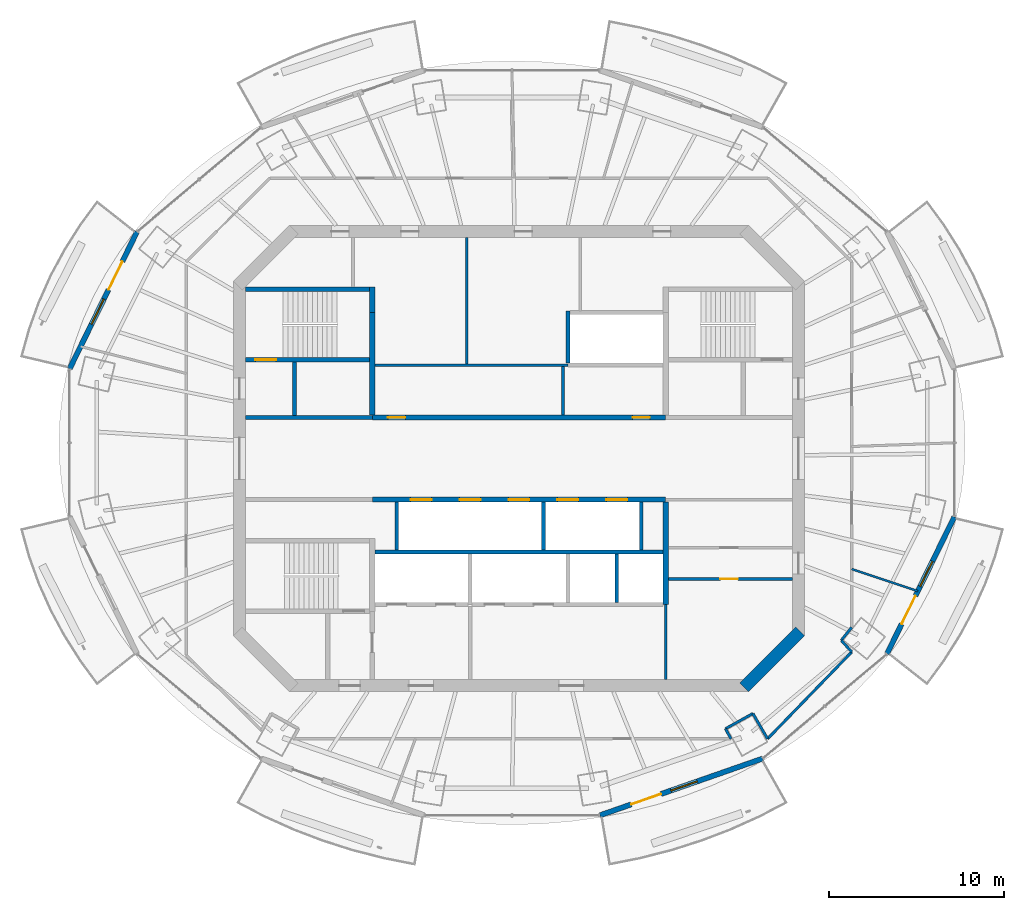
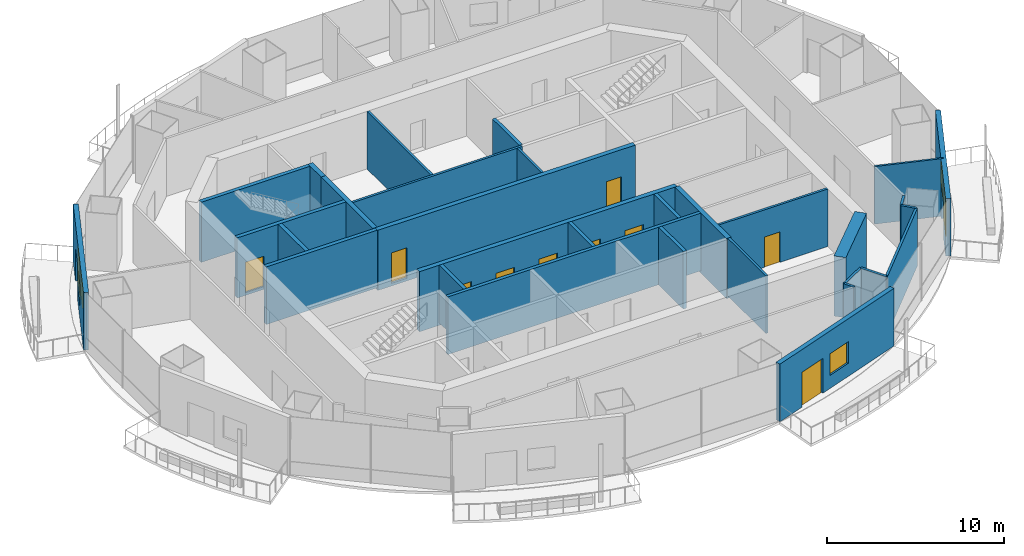
# One storey, part 9 of 16: 31 walls, 12 doors, 3 windows, 15 openings.
"""IFC4 building model written with IfcOpenShell, lengths in metres."""

import ifcopenshell
import ifcopenshell.guid

model = None  # the IFC model being written
_history = None  # IfcOwnerHistory: only IFC2X3 demands one
_inside = {}  # id of a spatial element -> (the spatial element, [elements in it])
_under = {}  # id of a project, library or spatial element -> (it, [spatial elements below it])
_declared = {}  # id of a project -> (the project, [libraries it declares])
_typed = {}  # id of a type object -> (the type object, [elements of that type])
_made_of = {}  # id of a material, layer set ... -> (it, [elements and type objects made of it])


def new_model(schema):
    """Start an empty IFC model of exactly this schema.

    Asked for "IFC4X3", IfcOpenShell would pick the latest addendum, in which some entities
    have other attributes; the version numbers below select the first issue.
    IFC2X3 requires an IfcOwnerHistory on every rooted entity: one is made here for all.
    """
    global model, _history
    if schema == "IFC4X3":
        model = ifcopenshell.file(schema_version=(4, 3, 0, 0))
    else:
        model = ifcopenshell.file(schema=schema)
    _inside.clear()
    _under.clear()
    _declared.clear()
    _typed.clear()
    _made_of.clear()
    _history = None
    if model.schema == "IFC2X3":
        org = make("IfcOrganization", Name="unknown")
        user = make(
            "IfcPersonAndOrganization",
            ThePerson=make("IfcPerson", FamilyName="unknown"),
            TheOrganization=org,
        )
        app = make(
            "IfcApplication",
            ApplicationDeveloper=org,
            Version="unknown",
            ApplicationFullName="unknown",
            ApplicationIdentifier="unknown",
        )
        _history = make(
            "IfcOwnerHistory",
            OwningUser=user,
            OwningApplication=app,
            ChangeAction="ADDED",
            CreationDate=0,
        )
    return model


def make(cls, **values):
    """One entity of the class cls with the attributes given. An attribute that is None is left unset."""
    return model.create_entity(
        cls, **{name: value for name, value in values.items() if value is not None}
    )


def rooted(cls, **values):
    """An entity with a GlobalId (a new one), such as an element, a storey or a relation."""
    return make(cls, GlobalId=ifcopenshell.guid.new(), OwnerHistory=_history, **values)


def si_unit(unit_type, name, prefix=None):
    """IfcSIUnit, for example si_unit("LENGTHUNIT", "METRE", prefix="MILLI")."""
    return make("IfcSIUnit", UnitType=unit_type, Prefix=prefix, Name=name)


def assignment(units):
    """IfcUnitAssignment: the units of a project."""
    return None if units is None else make("IfcUnitAssignment", Units=units)


def point(xyz):
    """IfcCartesianPoint."""
    return None if xyz is None else make("IfcCartesianPoint", Coordinates=xyz)


def direction(xyz):
    """IfcDirection."""
    return None if xyz is None else make("IfcDirection", DirectionRatios=xyz)


def frame(location, z_axis=None, x_axis=None):
    """IfcAxis2Placement3D, a coordinate frame: its origin and axes. An axis left out is left unset."""
    return make(
        "IfcAxis2Placement3D",
        Location=point(location),
        Axis=direction(z_axis),
        RefDirection=direction(x_axis),
    )


def frame_2d(location, x_axis=None):
    """IfcAxis2Placement2D, a coordinate frame in the plane: its origin and x axis."""
    return make(
        "IfcAxis2Placement2D", Location=point(location), RefDirection=direction(x_axis)
    )


def origin():
    """The frame at (0, 0, 0) with its axes left unset."""
    return frame((0.0, 0.0, 0.0))


def place(relative_to, where):
    """IfcLocalPlacement: puts the frame where relative to a parent placement (None: the world)."""
    return make(
        "IfcLocalPlacement", PlacementRelTo=relative_to, RelativePlacement=where
    )


def context(
    kind, dimensions, precision=None, world=None, true_north=None, identifier=None
):
    """IfcGeometricRepresentationContext, for example the 3D "Model" context."""
    return make(
        "IfcGeometricRepresentationContext",
        ContextIdentifier=identifier,
        ContextType=kind,
        CoordinateSpaceDimension=dimensions,
        Precision=precision,
        WorldCoordinateSystem=world,
        TrueNorth=true_north,
    )


def subcontext(parent, identifier, kind, view, scale=None):
    """IfcGeometricRepresentationSubContext, for example "Body" below "Model"."""
    return make(
        "IfcGeometricRepresentationSubContext",
        ContextIdentifier=identifier,
        ContextType=kind,
        ParentContext=parent,
        TargetScale=scale,
        TargetView=view,
    )


def project(units=None, contexts=None):
    """IfcProject with its units and contexts."""
    return rooted(
        "IfcProject",
        Name="project",
        RepresentationContexts=contexts,
        UnitsInContext=assignment(units),
    )


def spatial(cls, under=None, at=None, **own):
    """A site, building, storey or space (cls), placed at a placement, below another one or the project."""
    s = rooted(cls, ObjectPlacement=at, **own)
    if under is not None:
        _under.setdefault(under.id(), (under, []))[1].append(s)
    return s


def profile(cls, at=None, kind="AREA", **sizes):
    """A parametric profile (cls). Its sizes go by their IFC names, for example OverallWidth=200.0."""
    return make(cls, ProfileType=kind, Position=at, **sizes)


def rectangle(**sizes):
    """IfcRectangleProfileDef."""
    return profile("IfcRectangleProfileDef", **sizes)


def extrude(swept, where, along, depth):
    """IfcExtrudedAreaSolid: the profile swept, set in the frame where, extruded along a direction by depth."""
    return make(
        "IfcExtrudedAreaSolid",
        SweptArea=swept,
        Position=where,
        ExtrudedDirection=direction(along),
        Depth=depth,
    )


def shape(context_of_items, identifier, shape_type, items):
    """IfcShapeRepresentation: the items that make up one representation, for example the "Body"."""
    return make(
        "IfcShapeRepresentation",
        ContextOfItems=context_of_items,
        RepresentationIdentifier=identifier,
        RepresentationType=shape_type,
        Items=items,
    )


def material(Name=None, Category=None):
    """IfcMaterial."""
    return make("IfcMaterial", Name=Name, Category=Category)


def layer(
    of_material, thickness, ventilated=None, Name=None, Category=None, Priority=None
):
    """IfcMaterialLayer: one layer of a wall or slab, of a material (None: an air gap)."""
    return make(
        "IfcMaterialLayer",
        Material=of_material,
        LayerThickness=thickness,
        IsVentilated=ventilated,
        Name=Name,
        Category=Category,
        Priority=Priority,
    )


def layer_set(layers, Name=None):
    """IfcMaterialLayerSet."""
    return make("IfcMaterialLayerSet", MaterialLayers=layers, LayerSetName=Name)


def made_of(thing, what):
    """Note that an element or type object is made of a material, layer set ...; save() writes the relation."""
    if what is not None:
        _made_of.setdefault(what.id(), (what, []))[1].append(thing)
    return thing


def type_object(cls, material=None, **own):
    """A type object (cls), such as IfcWallType, which elements share."""
    return made_of(rooted(cls, **own), material)


def element(
    cls,
    number,
    at=None,
    inside=None,
    cuts=None,
    type_object=None,
    material=None,
    context=None,
    identifier="Body",
    shape_type=None,
    held_by="IfcProductDefinitionShape",
    body=None,
    shapes=None,
    **own,
):
    """One element of the class cls, such as IfcWall. Its Tag is "e" and its number.

    at: its placement. inside: the storey or other place that contains it. cuts: it is an
    opening in that element (IfcRelVoidsElement). A single representation is given by context,
    identifier, shape_type and body (its items); several are given by shapes. held_by: the class
    of the entity that holds the representations. save() writes the other relations.
    """
    e = rooted(cls, Tag="e%d" % number, ObjectPlacement=at, **own)
    if body is not None:
        shapes = [shape(context, identifier, shape_type, body)]
    if shapes is not None:
        e.Representation = make(held_by, Representations=shapes)
    if inside is not None:
        _inside.setdefault(inside.id(), (inside, []))[1].append(e)
    if cuts is not None:
        rooted(
            "IfcRelVoidsElement", RelatingBuildingElement=cuts, RelatedOpeningElement=e
        )
    if type_object is not None:
        _typed.setdefault(type_object.id(), (type_object, []))[1].append(e)
    return made_of(e, material)


def fill(opening, filler):
    """IfcRelFillsElement: the door or window that sits in an opening."""
    return rooted(
        "IfcRelFillsElement",
        RelatingOpeningElement=opening,
        RelatedBuildingElement=filler,
    )


def aggregate(whole, parts):
    """IfcRelAggregates: a whole, such as a stair, and the parts it consists of."""
    return rooted("IfcRelAggregates", RelatingObject=whole, RelatedObjects=parts)


def save(model, path):
    """Write the relations noted so far, then the file.

    IfcRelAggregates (storeys below a building ...), IfcRelContainedInSpatialStructure (elements
    in a storey), IfcRelDefinesByType, IfcRelAssociatesMaterial and IfcRelDeclares: one each for
    every whole, place, type object, material and project.
    """
    for whole, parts in _under.values():
        aggregate(whole, parts)
    for where, things in _inside.values():
        rooted(
            "IfcRelContainedInSpatialStructure",
            RelatedElements=things,
            RelatingStructure=where,
        )
    for kind, things in _typed.values():
        rooted("IfcRelDefinesByType", RelatedObjects=things, RelatingType=kind)
    for what, things in _made_of.values():
        rooted("IfcRelAssociatesMaterial", RelatedObjects=things, RelatingMaterial=what)
    for by, libraries in _declared.values():
        rooted("IfcRelDeclares", RelatingContext=by, RelatedDefinitions=libraries)
    model.write(path)


model = new_model("IFC4")

# Units and contexts
model_context = context("Model", 3, precision=1e-05, world=origin(), true_north=direction((0.0, 1.0)))
body_context = subcontext(model_context, "Body", "Model", "MODEL_VIEW")
ifc_project = project(units=[si_unit("LENGTHUNIT", "METRE"), si_unit("AREAUNIT", "SQUARE_METRE"), si_unit("VOLUMEUNIT", "CUBIC_METRE"), si_unit("PLANEANGLEUNIT", "RADIAN"), si_unit("MASSUNIT", "GRAM", prefix="KILO")], contexts=[model_context])

# Site, building, storey
site_placement = place(None, origin())
site = spatial("IfcSite", under=ifc_project, at=site_placement, CompositionType="ELEMENT")
building_placement = place(site_placement, origin())
building = spatial("IfcBuilding", under=site, at=building_placement, Name="Marenthal Gate Tower", CompositionType="ELEMENT")
storey_placement = place(building_placement, frame((0.0, 0.0, 371.64990234375)))
storey = spatial("IfcBuildingStorey", under=building, at=storey_placement, Name="L84", CompositionType="ELEMENT", Elevation=371.64990234375)

# Wall
ifc_material_1 = material(Name="Concrete 60 MPa", Category="concrete")
ifc_layer_1 = layer(ifc_material_1, 0.699951171875)
ifc_layer_set_1 = layer_set([ifc_layer_1], Name="Core shear wall 700")
wall_type_1 = type_object("IfcWallType", Name="Core shear wall 700", PredefinedType="SHEAR", material=ifc_layer_set_1)
wall_1_placement = place(storey_placement, frame((12.8974609375, -13.1025390625, -0.179931640625), z_axis=(0.0, 0.0, 1.0), x_axis=(0.707106781187, 0.707106781187, 0.0)))
element("IfcWall", 1, at=wall_1_placement, inside=storey, type_object=wall_type_1, Name="Core wall 01", PredefinedType="SHEAR", context=body_context, shape_type="SweptSolid", body=[
    extrude(rectangle(XDim=4.53271484375, YDim=0.699951171875, at=frame_2d((2.266357421875, 0.0))), origin(), (0.0, 0.0, 1.0), 4.150146484375),
])

# Wall, openings, doors
ifc_material_2 = material(Name="Concrete 50 MPa", Category="concrete")
ifc_layer_2 = layer(ifc_material_2, 0.300048828125)
ifc_layer_set_2 = layer_set([ifc_layer_2], Name="Hoistway shear wall 300")
wall_type_2 = type_object("IfcWallType", Name="Hoistway shear wall 300", PredefinedType="SHEAR", material=ifc_layer_set_2)
wall_2_placement = place(storey_placement, frame((-8.39990234375, -2.35009765625, -0.179931640625), z_axis=(0.0, 0.0, 1.0), x_axis=(1.0, 0.0, 0.0)))
wall_2 = element("IfcWall", 2, at=wall_2_placement, inside=storey, type_object=wall_type_2, Name="Hoistway wall 17", PredefinedType="SHEAR", context=body_context, shape_type="SweptSolid", body=[
    extrude(rectangle(XDim=16.7998046875, YDim=0.300048828125, at=frame_2d((8.39990234375, 0.0))), origin(), (0.0, 0.0, 1.0), 4.150146484375),
])
opening_1_placement = place(wall_2_placement, frame((2.199951171875, 0.0, 0.179931640625)))
opening_1 = element("IfcOpeningElement", 3, at=opening_1_placement, cuts=wall_2, Name="Opening LD-HP1", PredefinedType="OPENING", context=body_context, shape_type="SweptSolid", body=[
    extrude(rectangle(XDim=1.199951171875, YDim=2.10009765625, at=frame_2d((0.60009765625, 1.050048828125))), frame((0.0, 0.16015625, 0.0), z_axis=(0.0, -1.0, 0.0), x_axis=(1.0, 0.0, 0.0)), (0.0, 0.0, 1.0), 0.320068359375),
])
opening_2_placement = place(wall_2_placement, frame((5.0, 0.0, 0.179931640625)))
opening_2 = element("IfcOpeningElement", 4, at=opening_2_placement, cuts=wall_2, Name="Opening LD-HP2", PredefinedType="OPENING", context=body_context, shape_type="SweptSolid", body=[
    extrude(rectangle(XDim=1.199951171875, YDim=2.10009765625, at=frame_2d((0.60009765625, 1.050048828125))), frame((0.0, 0.16015625, 0.0), z_axis=(0.0, -1.0, 0.0), x_axis=(1.0, 0.0, 0.0)), (0.0, 0.0, 1.0), 0.320068359375),
])
opening_3_placement = place(wall_2_placement, frame((7.800048828125, 0.0, 0.179931640625)))
opening_3 = element("IfcOpeningElement", 5, at=opening_3_placement, cuts=wall_2, Name="Opening LD-HP3", PredefinedType="OPENING", context=body_context, shape_type="SweptSolid", body=[
    extrude(rectangle(XDim=1.199951171875, YDim=2.10009765625, at=frame_2d((0.60009765625, 1.050048828125))), frame((0.0, 0.16015625, 0.0), z_axis=(0.0, -1.0, 0.0), x_axis=(1.0, 0.0, 0.0)), (0.0, 0.0, 1.0), 0.320068359375),
])
opening_4_placement = place(wall_2_placement, frame((10.60009765625, 0.0, 0.179931640625)))
opening_4 = element("IfcOpeningElement", 6, at=opening_4_placement, cuts=wall_2, Name="Opening LD-HP4", PredefinedType="OPENING", context=body_context, shape_type="SweptSolid", body=[
    extrude(rectangle(XDim=1.199951171875, YDim=2.10009765625, at=frame_2d((0.60009765625, 1.050048828125))), frame((0.0, 0.16015625, 0.0), z_axis=(0.0, -1.0, 0.0), x_axis=(1.0, 0.0, 0.0)), (0.0, 0.0, 1.0), 0.320068359375),
])
opening_5_placement = place(wall_2_placement, frame((13.39990234375, 0.0, 0.179931640625)))
opening_5 = element("IfcOpeningElement", 7, at=opening_5_placement, cuts=wall_2, Name="Opening LD-HP5", PredefinedType="OPENING", context=body_context, shape_type="SweptSolid", body=[
    extrude(rectangle(XDim=1.199951171875, YDim=2.10009765625, at=frame_2d((0.60009765625, 1.050048828125))), frame((0.0, 0.16015625, 0.0), z_axis=(0.0, -1.0, 0.0), x_axis=(1.0, 0.0, 0.0)), (0.0, 0.0, 1.0), 0.320068359375),
])
ifc_material_3 = material(Name="Stainless steel sliding door", Category="steel")
door_type_1 = type_object("IfcDoorType", Name="Lift landing door FD 90 1200 x 2100", OperationType="DOUBLE_DOOR_SLIDING", PredefinedType="DOOR", material=ifc_material_3)
door_1_placement = place(opening_1_placement, origin())
door_1 = element("IfcDoor", 8, at=door_1_placement, inside=storey, type_object=door_type_1, Name="Lift landing door HP1", OperationType="DOUBLE_DOOR_SLIDING", OverallHeight=2.10009765625, OverallWidth=1.199951171875, PredefinedType="DOOR", context=body_context, shape_type="SweptSolid", body=[
    extrude(rectangle(XDim=1.199951171875, YDim=2.10009765625, at=frame_2d((0.60009765625, 1.050048828125))), frame((0.0, 0.02490234375, 0.0), z_axis=(0.0, -1.0, 0.0), x_axis=(1.0, 0.0, 0.0)), (0.0, 0.0, 1.0), 0.050048828125),
])
fill(opening_1, door_1)
door_2_placement = place(opening_2_placement, origin())
door_2 = element("IfcDoor", 9, at=door_2_placement, inside=storey, type_object=door_type_1, Name="Lift landing door HP2", OperationType="DOUBLE_DOOR_SLIDING", OverallHeight=2.10009765625, OverallWidth=1.199951171875, PredefinedType="DOOR", context=body_context, shape_type="SweptSolid", body=[
    extrude(rectangle(XDim=1.199951171875, YDim=2.10009765625, at=frame_2d((0.60009765625, 1.050048828125))), frame((0.0, 0.02490234375, 0.0), z_axis=(0.0, -1.0, 0.0), x_axis=(1.0, 0.0, 0.0)), (0.0, 0.0, 1.0), 0.050048828125),
])
fill(opening_2, door_2)
door_3_placement = place(opening_3_placement, origin())
door_3 = element("IfcDoor", 10, at=door_3_placement, inside=storey, type_object=door_type_1, Name="Lift landing door HP3", OperationType="DOUBLE_DOOR_SLIDING", OverallHeight=2.10009765625, OverallWidth=1.199951171875, PredefinedType="DOOR", context=body_context, shape_type="SweptSolid", body=[
    extrude(rectangle(XDim=1.199951171875, YDim=2.10009765625, at=frame_2d((0.60009765625, 1.050048828125))), frame((0.0, 0.02490234375, 0.0), z_axis=(0.0, -1.0, 0.0), x_axis=(1.0, 0.0, 0.0)), (0.0, 0.0, 1.0), 0.050048828125),
])
fill(opening_3, door_3)
door_4_placement = place(opening_4_placement, origin())
door_4 = element("IfcDoor", 11, at=door_4_placement, inside=storey, type_object=door_type_1, Name="Lift landing door HP4", OperationType="DOUBLE_DOOR_SLIDING", OverallHeight=2.10009765625, OverallWidth=1.199951171875, PredefinedType="DOOR", context=body_context, shape_type="SweptSolid", body=[
    extrude(rectangle(XDim=1.199951171875, YDim=2.10009765625, at=frame_2d((0.60009765625, 1.050048828125))), frame((0.0, 0.02490234375, 0.0), z_axis=(0.0, -1.0, 0.0), x_axis=(1.0, 0.0, 0.0)), (0.0, 0.0, 1.0), 0.050048828125),
])
fill(opening_4, door_4)
door_5_placement = place(opening_5_placement, origin())
door_5 = element("IfcDoor", 12, at=door_5_placement, inside=storey, type_object=door_type_1, Name="Lift landing door HP5", OperationType="DOUBLE_DOOR_SLIDING", OverallHeight=2.10009765625, OverallWidth=1.199951171875, PredefinedType="DOOR", context=body_context, shape_type="SweptSolid", body=[
    extrude(rectangle(XDim=1.199951171875, YDim=2.10009765625, at=frame_2d((0.60009765625, 1.050048828125))), frame((0.0, 0.02490234375, 0.0), z_axis=(0.0, -1.0, 0.0), x_axis=(1.0, 0.0, 0.0)), (0.0, 0.0, 1.0), 0.050048828125),
])
fill(opening_5, door_5)

wall_3_placement = place(storey_placement, frame((-8.39990234375, 2.35009765625, -0.179931640625), z_axis=(0.0, 0.0, 1.0), x_axis=(1.0, 0.0, 0.0)))
wall_3 = element("IfcWall", 13, at=wall_3_placement, inside=storey, type_object=wall_type_2, Name="Hoistway wall 20", PredefinedType="SHEAR", context=body_context, shape_type="SweptSolid", body=[
    extrude(rectangle(XDim=16.7998046875, YDim=0.300048828125, at=frame_2d((8.39990234375, 0.0))), origin(), (0.0, 0.0, 1.0), 4.150146484375),
])
opening_6_placement = place(wall_3_placement, frame((0.89990234375, 0.0, 0.179931640625)))
opening_6 = element("IfcOpeningElement", 14, at=opening_6_placement, cuts=wall_3, Name="Opening D005.01", PredefinedType="OPENING", context=body_context, shape_type="SweptSolid", body=[
    extrude(rectangle(XDim=1.0, YDim=2.10009765625, at=frame_2d((0.5, 1.050048828125))), frame((0.0, 0.16015625, 0.0), z_axis=(0.0, -1.0, 0.0), x_axis=(1.0, 0.0, 0.0)), (0.0, 0.0, 1.0), 0.320068359375),
])
opening_7_placement = place(wall_3_placement, frame((14.89990234375, 0.0, 0.179931640625)))
opening_7 = element("IfcOpeningElement", 15, at=opening_7_placement, cuts=wall_3, Name="Opening D005.02", PredefinedType="OPENING", context=body_context, shape_type="SweptSolid", body=[
    extrude(rectangle(XDim=1.0, YDim=2.10009765625, at=frame_2d((0.5, 1.050048828125))), frame((0.0, 0.16015625, 0.0), z_axis=(0.0, -1.0, 0.0), x_axis=(1.0, 0.0, 0.0)), (0.0, 0.0, 1.0), 0.320068359375),
])
ifc_material_4 = material(Name="Steel fire door", Category="steel")
door_type_2 = type_object("IfcDoorType", Name="Fire door FD 45 1000 x 2100", OperationType="NOTDEFINED", PredefinedType="DOOR", material=ifc_material_4)
door_6_placement = place(opening_6_placement, origin())
door_6 = element("IfcDoor", 16, at=door_6_placement, inside=storey, type_object=door_type_2, Name="Door D005.01", OperationType="SINGLE_SWING_RIGHT", OverallHeight=2.10009765625, OverallWidth=1.0, PredefinedType="DOOR", context=body_context, shape_type="SweptSolid", body=[
    extrude(rectangle(XDim=1.0, YDim=2.10009765625, at=frame_2d((0.5, 1.050048828125))), frame((0.0, 0.02490234375, 0.0), z_axis=(0.0, -1.0, 0.0), x_axis=(1.0, 0.0, 0.0)), (0.0, 0.0, 1.0), 0.050048828125),
])
fill(opening_6, door_6)
door_7_placement = place(opening_7_placement, origin())
door_7 = element("IfcDoor", 17, at=door_7_placement, inside=storey, type_object=door_type_2, Name="Door D005.02", OperationType="SINGLE_SWING_RIGHT", OverallHeight=2.10009765625, OverallWidth=1.0, PredefinedType="DOOR", context=body_context, shape_type="SweptSolid", body=[
    extrude(rectangle(XDim=1.0, YDim=2.10009765625, at=frame_2d((0.5, 1.050048828125))), frame((0.0, 0.02490234375, 0.0), z_axis=(0.0, -1.0, 0.0), x_axis=(1.0, 0.0, 0.0)), (0.0, 0.0, 1.0), 0.050048828125),
])
fill(opening_7, door_7)

# Walls
for number, where, z_axis, x_axis, name in (
    (18, (-8.39990234375, 2.5, -0.179931640625), (0.0, 0.0, 1.0), (0.0, 1.0, 0.0), "Hoistway wall 34"),
    (19, (8.39990234375, -8.35009765625, -0.179931640625), (0.0, 0.0, 1.0), (0.0, 1.0, 0.0), "Hoistway wall 48"),
):
    element("IfcWall", number, at=place(storey_placement, frame(where, z_axis=z_axis, x_axis=x_axis)), inside=storey, type_object=wall_type_2, Name=name, PredefinedType="SHEAR", context=body_context, shape_type="SweptSolid", body=[
        extrude(rectangle(XDim=5.85009765625, YDim=0.300048828125, at=frame_2d((2.925048828125, 0.0))), origin(), (0.0, 0.0, 1.0), 4.150146484375),
    ])
ifc_material_5 = material(Name="Concrete 40 MPa", Category="concrete")
ifc_layer_3 = layer(ifc_material_5, 0.219970703125)
ifc_layer_set_3 = layer_set([ifc_layer_3], Name="Hoistway wall 220")
wall_type_3 = type_object("IfcWallType", Name="Hoistway wall 220", PredefinedType="STANDARD", material=ifc_layer_set_3)
wall_4_placement = place(storey_placement, frame((-8.25, -5.35009765625, 0.0), z_axis=(0.0, 0.0, 1.0), x_axis=(1.0, 0.0, 0.0)))
element("IfcWall", 20, at=wall_4_placement, inside=storey, type_object=wall_type_3, Name="Hoistway wall 13", PredefinedType="STANDARD", context=body_context, shape_type="SweptSolid", body=[
    extrude(rectangle(XDim=16.5, YDim=0.219970703125, at=frame_2d((8.25, 0.0))), origin(), (0.0, 0.0, 1.0), 3.97021484375),
])
for number, where, z_axis, x_axis, name in (
    (21, (-7.0, -5.239990234375, 0.0), (0.0, 0.0, 1.0), (0.0, 1.0, 0.0), "Hoistway wall 36"),
    (22, (1.39990234375, -5.239990234375, 0.0), (0.0, 0.0, 1.0), (0.0, 1.0, 0.0), "Hoistway wall 40"),
):
    element("IfcWall", number, at=place(storey_placement, frame(where, z_axis=z_axis, x_axis=x_axis)), inside=storey, type_object=wall_type_3, Name=name, PredefinedType="STANDARD", context=body_context, shape_type="SweptSolid", body=[
        extrude(rectangle(XDim=2.739990234375, YDim=0.219970703125, at=frame_2d((1.3701171875, 0.0))), origin(), (0.0, 0.0, 1.0), 3.97021484375),
    ])
wall_5_placement = place(storey_placement, frame((2.800048828125, 5.4599609375, 0.0), z_axis=(0.0, 0.0, 1.0), x_axis=(0.0, 1.0, 0.0)))
element("IfcWall", 23, at=wall_5_placement, inside=storey, type_object=wall_type_3, Name="Hoistway wall 43", PredefinedType="STANDARD", context=body_context, shape_type="SweptSolid", body=[
    extrude(rectangle(XDim=3.0, YDim=0.219970703125, at=frame_2d((1.5, 0.0))), origin(), (0.0, 0.0, 1.0), 3.97021484375),
])
wall_6_placement = place(storey_placement, frame((5.60009765625, -8.239990234375, 0.0), z_axis=(0.0, 0.0, 1.0), x_axis=(0.0, 1.0, 0.0)))
element("IfcWall", 24, at=wall_6_placement, inside=storey, type_object=wall_type_3, Name="Hoistway wall 45", PredefinedType="STANDARD", context=body_context, shape_type="SweptSolid", body=[
    extrude(rectangle(XDim=2.780029296875, YDim=0.219970703125, at=frame_2d((1.39013671875, 0.0))), origin(), (0.0, 0.0, 1.0), 3.97021484375),
])
wall_7_placement = place(storey_placement, frame((7.0, -5.239990234375, 0.0), z_axis=(0.0, 0.0, 1.0), x_axis=(0.0, 1.0, 0.0)))
element("IfcWall", 25, at=wall_7_placement, inside=storey, type_object=wall_type_3, Name="Hoistway wall 46", PredefinedType="STANDARD", context=body_context, shape_type="SweptSolid", body=[
    extrude(rectangle(XDim=2.739990234375, YDim=0.219970703125, at=frame_2d((1.3701171875, 0.0))), origin(), (0.0, 0.0, 1.0), 3.97021484375),
])
ifc_material_6 = material(Name="Gypsum board on steel studs", Category="steel")
ifc_layer_4 = layer(ifc_material_6, 0.1201171875)
ifc_layer_set_4 = layer_set([ifc_layer_4], Name="Partition 120")
wall_type_4 = type_object("IfcWallType", Name="Partition 120", PredefinedType="PARTITIONING", material=ifc_layer_set_4)
wall_8_placement = place(storey_placement, frame((19.050048828125, -6.3330078125, 0.0), z_axis=(0.0, 0.0, 1.0), x_axis=(0.94893391062, -0.31547493288, 0.0)))
element("IfcWall", 26, at=wall_8_placement, inside=storey, type_object=wall_type_4, Name="Partition wall 73", PredefinedType="PARTITIONING", context=body_context, shape_type="SweptSolid", body=[
    extrude(rectangle(XDim=3.9892578125, YDim=0.1201171875, at=frame_2d((1.99462890625, 0.0))), origin(), (0.0, 0.0, 1.0), 3.97021484375),
])

# Wall, opening, door
ifc_material_7 = material(Name="Gypsum board on steel studs", Category="steel")
ifc_layer_5 = layer(ifc_material_7, 0.14990234375)
ifc_layer_set_5 = layer_set([ifc_layer_5], Name="Partition 150")
wall_type_5 = type_object("IfcWallType", Name="Partition 150", PredefinedType="PARTITIONING", material=ifc_layer_set_5)
wall_9_placement = place(storey_placement, frame((8.550048828125, -6.89990234375, 0.0), z_axis=(0.0, 0.0, 1.0), x_axis=(1.0, 0.0, 0.0)))
wall_9 = element("IfcWall", 27, at=wall_9_placement, inside=storey, type_object=wall_type_5, Name="Partition wall 12", PredefinedType="PARTITIONING", context=body_context, shape_type="SweptSolid", body=[
    extrude(rectangle(XDim=7.099853515625, YDim=0.14990234375, at=frame_2d((3.5498046875, 0.0))), origin(), (0.0, 0.0, 1.0), 3.97021484375),
])
opening_8_placement = place(wall_9_placement, frame((2.97509765625, 0.0, 0.0)))
opening_8 = element("IfcOpeningElement", 28, at=opening_8_placement, cuts=wall_9, Name="Opening D005.08", PredefinedType="OPENING", context=body_context, shape_type="SweptSolid", body=[
    extrude(rectangle(XDim=1.0, YDim=2.10009765625, at=frame_2d((0.5, 1.050048828125))), frame((0.0, 0.0849609375, 0.0), z_axis=(0.0, -1.0, 0.0), x_axis=(1.0, 0.0, 0.0)), (0.0, 0.0, 1.0), 0.169921875),
])
door_8_placement = place(opening_8_placement, frame((1.0, 0.0, 0.0), z_axis=(0.0, 0.0, 1.0), x_axis=(-1.0, 0.0, 0.0)))
door_8 = element("IfcDoor", 29, at=door_8_placement, inside=storey, type_object=door_type_2, Name="Door D005.08", OperationType="SINGLE_SWING_LEFT", OverallHeight=2.10009765625, OverallWidth=1.0, PredefinedType="DOOR", context=body_context, shape_type="SweptSolid", body=[
    extrude(rectangle(XDim=1.0, YDim=2.10009765625, at=frame_2d((0.5, 1.050048828125))), frame((0.0, 0.02490234375, 0.0), z_axis=(0.0, -1.0, 0.0), x_axis=(1.0, 0.0, 0.0)), (0.0, 0.0, 1.0), 0.050048828125),
])
fill(opening_8, door_8)

# Walls
wall_10_placement = place(storey_placement, frame((-8.25, 5.35009765625, 0.0), z_axis=(0.0, 0.0, 1.0), x_axis=(1.0, 0.0, 0.0)))
element("IfcWall", 30, at=wall_10_placement, inside=storey, type_object=wall_type_5, Name="Partition wall 22", PredefinedType="PARTITIONING", context=body_context, shape_type="SweptSolid", body=[
    extrude(rectangle(XDim=11.050048828125, YDim=0.14990234375, at=frame_2d((5.52490234375, 0.0))), origin(), (0.0, 0.0, 1.0), 3.97021484375),
])
wall_11_placement = place(storey_placement, frame((-3.0, 5.425048828125, 0.0), z_axis=(0.0, 0.0, 1.0), x_axis=(0.0, 1.0, 0.0)))
element("IfcWall", 31, at=wall_11_placement, inside=storey, type_object=wall_type_5, Name="Partition wall 37", PredefinedType="PARTITIONING", context=body_context, shape_type="SweptSolid", body=[
    extrude(rectangle(XDim=7.224853515625, YDim=0.14990234375, at=frame_2d((3.6123046875, 0.0))), origin(), (0.0, 0.0, 1.0), 3.97021484375),
])
wall_12_placement = place(storey_placement, frame((2.52001953125, 2.5, 0.0), z_axis=(0.0, 0.0, 1.0), x_axis=(0.0, 1.0, 0.0)))
element("IfcWall", 32, at=wall_12_placement, inside=storey, type_object=wall_type_5, Name="Partition wall 41", PredefinedType="PARTITIONING", context=body_context, shape_type="SweptSolid", body=[
    extrude(rectangle(XDim=2.77490234375, YDim=0.14990234375, at=frame_2d((1.387451171875, 0.0))), origin(), (0.0, 0.0, 1.0), 3.97021484375),
])
wall_13_placement = place(storey_placement, frame((8.39990234375, -12.64990234375, 0.0), z_axis=(0.0, 0.0, 1.0), x_axis=(0.0, 1.0, 0.0)))
element("IfcWall", 33, at=wall_13_placement, inside=storey, type_object=wall_type_5, Name="Partition wall 47", PredefinedType="PARTITIONING", context=body_context, shape_type="SweptSolid", body=[
    extrude(rectangle(XDim=4.2998046875, YDim=0.14990234375, at=frame_2d((2.14990234375, 0.0))), origin(), (0.0, 0.0, 1.0), 3.97021484375),
])
wall_14_placement = place(storey_placement, frame((11.81982421875, -15.473388671875, 0.0), z_axis=(0.0, 0.0, 1.0), x_axis=(0.48586284539, -0.874035065355, 0.0)))
element("IfcWall", 34, at=wall_14_placement, inside=storey, type_object=wall_type_5, Name="Partition wall 65", PredefinedType="PARTITIONING", context=body_context, shape_type="SweptSolid", body=[
    extrude(rectangle(XDim=0.65966796875, YDim=0.14990234375, at=frame_2d((0.329833984375, 0.0))), origin(), (0.0, 0.0, 1.0), 3.97021484375),
])
wall_15_placement = place(storey_placement, frame((13.393310546875, -14.59912109375, 0.0), z_axis=(0.0, 0.0, 1.0), x_axis=(-0.874131684449, -0.48568899333, 0.0)))
element("IfcWall", 35, at=wall_15_placement, inside=storey, type_object=wall_type_5, Name="Partition wall 67", PredefinedType="PARTITIONING", context=body_context, shape_type="SweptSolid", body=[
    extrude(rectangle(XDim=1.800048828125, YDim=0.14990234375, at=frame_2d((0.89990234375, 0.0))), origin(), (0.0, 0.0, 1.0), 3.97021484375),
])
wall_16_placement = place(storey_placement, frame((14.231689453125, -16.050048828125, 0.0), z_axis=(0.0, 0.0, 1.0), x_axis=(-0.500306725227, 0.865848243454, 0.0)))
element("IfcWall", 36, at=wall_16_placement, inside=storey, type_object=wall_type_5, Name="Partition wall 68", PredefinedType="PARTITIONING", context=body_context, shape_type="SweptSolid", body=[
    extrude(rectangle(XDim=1.67578125, YDim=0.14990234375, at=frame_2d((0.837890625, 0.0))), origin(), (0.0, 0.0, 1.0), 3.97021484375),
])
wall_17_placement = place(storey_placement, frame((18.4521484375, -10.409912109375, 0.0), z_axis=(0.0, 0.0, 1.0), x_axis=(0.667623183187, -0.744499352096, 0.0)))
element("IfcWall", 37, at=wall_17_placement, inside=storey, type_object=wall_type_5, Name="Partition wall 70", PredefinedType="PARTITIONING", context=body_context, shape_type="SweptSolid", body=[
    extrude(rectangle(XDim=0.8955078125, YDim=0.14990234375, at=frame_2d((0.44775390625, 0.0))), origin(), (0.0, 0.0, 1.0), 3.97021484375),
])
wall_18_placement = place(storey_placement, frame((19.050048828125, -11.07666015625, 0.0), z_axis=(0.0, 0.0, 1.0), x_axis=(-0.695824202045, -0.718212141257, 0.0)))
element("IfcWall", 38, at=wall_18_placement, inside=storey, type_object=wall_type_5, Name="Partition wall 71", PredefinedType="PARTITIONING", context=body_context, shape_type="SweptSolid", body=[
    extrude(rectangle(XDim=6.924560546875, YDim=0.14990234375, at=frame_2d((3.46240234375, 0.0))), origin(), (0.0, 0.0, 1.0), 3.97021484375),
])
wall_19_placement = place(storey_placement, frame((19.050048828125, -9.665771484375, 0.0), z_axis=(0.0, 0.0, 1.0), x_axis=(-0.626346705542, -0.779544613513, 0.0)))
element("IfcWall", 39, at=wall_19_placement, inside=storey, type_object=wall_type_5, Name="Partition wall 72", PredefinedType="PARTITIONING", context=body_context, shape_type="SweptSolid", body=[
    extrude(rectangle(XDim=0.95458984375, YDim=0.14990234375, at=frame_2d((0.477294921875, 0.0))), origin(), (0.0, 0.0, 1.0), 3.97021484375),
])
ifc_material_8 = material(Name="Concrete 40 MPa", Category="concrete")
ifc_layer_6 = layer(ifc_material_8, 0.25)
ifc_layer_set_6 = layer_set([ifc_layer_6], Name="Stair enclosure wall 250")
wall_type_6 = type_object("IfcWallType", Name="Stair enclosure wall 250", PredefinedType="STANDARD", material=ifc_layer_set_6)
wall_20_placement = place(storey_placement, frame((-15.64990234375, 2.35009765625, 0.0), z_axis=(0.0, 0.0, 1.0), x_axis=(1.0, 0.0, 0.0)))
element("IfcWall", 40, at=wall_20_placement, inside=storey, type_object=wall_type_6, Name="Stair wall 19", PredefinedType="STANDARD", context=body_context, shape_type="SweptSolid", body=[
    extrude(rectangle(XDim=7.25, YDim=0.25, at=frame_2d((3.625, 0.0))), origin(), (0.0, 0.0, 1.0), 3.97021484375),
])
wall_21_placement = place(storey_placement, frame((-12.85009765625, 2.47509765625, 0.0), z_axis=(0.0, 0.0, 1.0), x_axis=(0.0, 1.0, 0.0)))
element("IfcWall", 41, at=wall_21_placement, inside=storey, type_object=wall_type_6, Name="Stair wall 29", PredefinedType="STANDARD", context=body_context, shape_type="SweptSolid", body=[
    extrude(rectangle(XDim=3.0498046875, YDim=0.25, at=frame_2d((1.52490234375, 0.0))), origin(), (0.0, 0.0, 1.0), 3.97021484375),
])

# Wall, opening, door
ifc_material_9 = material(Name="Concrete 50 MPa", Category="concrete")
ifc_layer_7 = layer(ifc_material_9, 0.25)
ifc_layer_set_7 = layer_set([ifc_layer_7], Name="Stair shear wall 250")
wall_type_7 = type_object("IfcWallType", Name="Stair shear wall 250", PredefinedType="SHEAR", material=ifc_layer_set_7)
wall_22_placement = place(storey_placement, frame((-15.64990234375, 5.64990234375, -0.179931640625), z_axis=(0.0, 0.0, 1.0), x_axis=(1.0, 0.0, 0.0)))
wall_22 = element("IfcWall", 42, at=wall_22_placement, inside=storey, type_object=wall_type_7, Name="Stair wall 24", PredefinedType="SHEAR", context=body_context, shape_type="SweptSolid", body=[
    extrude(rectangle(XDim=7.099853515625, YDim=0.25, at=frame_2d((3.5498046875, 0.0))), origin(), (0.0, 0.0, 1.0), 4.150146484375),
])
opening_9_placement = place(wall_22_placement, frame((0.550048828125, 0.0, 0.179931640625)))
opening_9 = element("IfcOpeningElement", 43, at=opening_9_placement, cuts=wall_22, Name="Opening D001.01", PredefinedType="OPENING", context=body_context, shape_type="SweptSolid", body=[
    extrude(rectangle(XDim=1.199951171875, YDim=2.10009765625, at=frame_2d((0.60009765625, 1.050048828125))), frame((0.0, 0.135009765625, 0.0), z_axis=(0.0, -1.0, 0.0), x_axis=(1.0, 0.0, 0.0)), (0.0, 0.0, 1.0), 0.27001953125),
])
ifc_material_10 = material(Name="Steel fire door", Category="steel")
door_type_3 = type_object("IfcDoorType", Name="Fire door FD 90 1200 x 2100", OperationType="NOTDEFINED", PredefinedType="DOOR", material=ifc_material_10)
door_9_placement = place(opening_9_placement, origin())
door_9 = element("IfcDoor", 44, at=door_9_placement, inside=storey, type_object=door_type_3, Name="Door D001.01", OperationType="SINGLE_SWING_RIGHT", OverallHeight=2.10009765625, OverallWidth=1.199951171875, PredefinedType="DOOR", context=body_context, shape_type="SweptSolid", body=[
    extrude(rectangle(XDim=1.199951171875, YDim=2.10009765625, at=frame_2d((0.60009765625, 1.050048828125))), frame((0.0, 0.02490234375, 0.0), z_axis=(0.0, -1.0, 0.0), x_axis=(1.0, 0.0, 0.0)), (0.0, 0.0, 1.0), 0.050048828125),
])
fill(opening_9, door_9)

# Walls
wall_23_placement = place(storey_placement, frame((-15.64990234375, 9.699951171875, -0.179931640625), z_axis=(0.0, 0.0, 1.0), x_axis=(1.0, 0.0, 0.0)))
element("IfcWall", 45, at=wall_23_placement, inside=storey, type_object=wall_type_7, Name="Stair wall 27", PredefinedType="SHEAR", context=body_context, shape_type="SweptSolid", body=[
    extrude(rectangle(XDim=7.099853515625, YDim=0.25, at=frame_2d((3.5498046875, 0.0))), origin(), (0.0, 0.0, 1.0), 4.150146484375),
])
ifc_material_11 = material(Name="Concrete 50 MPa", Category="concrete")
ifc_layer_8 = layer(ifc_material_11, 0.300048828125)
ifc_layer_set_8 = layer_set([ifc_layer_8], Name="Stair shear wall 300")
wall_type_8 = type_object("IfcWallType", Name="Stair shear wall 300", PredefinedType="SHEAR", material=ifc_layer_set_8)
wall_24_placement = place(storey_placement, frame((-8.39990234375, 8.35009765625, -0.179931640625), z_axis=(0.0, 0.0, 1.0), x_axis=(0.0, 1.0, 0.0)))
element("IfcWall", 46, at=wall_24_placement, inside=storey, type_object=wall_type_8, Name="Stair wall 35", PredefinedType="SHEAR", context=body_context, shape_type="SweptSolid", body=[
    extrude(rectangle(XDim=1.474853515625, YDim=0.300048828125, at=frame_2d((0.7373046875, 0.0))), origin(), (0.0, 0.0, 1.0), 4.150146484375),
])

# Wall, openings, door, window
ifc_material_12 = material(Name="Terracotta cladding on insulated concrete-block backing", Category="masonry")
ifc_layer_9 = layer(ifc_material_12, 0.300048828125)
ifc_layer_set_9 = layer_set([ifc_layer_9], Name="Terracotta facade wall 300")
wall_type_9 = type_object("IfcWallType", Name="Terracotta facade wall 300", PredefinedType="SOLIDWALL", material=ifc_layer_set_9)
wall_25_placement = place(storey_placement, frame((-21.8701171875, 12.98095703125, 0.0), z_axis=(0.0, 0.0, 1.0), x_axis=(-0.441368721009, -0.897325833861, 0.0)))
wall_25 = element("IfcWall", 47, at=wall_25_placement, inside=storey, type_object=wall_type_9, Name="Terracotta facade wall L84 bay 7", PredefinedType="SOLIDWALL", context=body_context, shape_type="SweptSolid", body=[
    extrude(rectangle(XDim=8.73583984375, YDim=0.300048828125, at=frame_2d((4.367919921875, 0.0))), origin(), (0.0, 0.0, 1.0), 3.97021484375),
])
opening_10_placement = place(wall_25_placement, frame((1.89990234375, 0.0, 0.0)))
opening_10 = element("IfcOpeningElement", 48, at=opening_10_placement, cuts=wall_25, Name="Opening BD-L84-07", PredefinedType="OPENING", context=body_context, shape_type="SweptSolid", body=[
    extrude(rectangle(XDim=1.800048828125, YDim=2.39990234375, at=frame_2d((0.89990234375, 1.199951171875))), frame((0.0, 0.16015625, 0.0), z_axis=(0.0, -1.0, 0.0), x_axis=(1.0, 0.0, 0.0)), (0.0, 0.0, 1.0), 0.320068359375),
])
opening_11_placement = place(wall_25_placement, frame((4.300048828125, 0.0, 0.89990234375)))
opening_11 = element("IfcOpeningElement", 49, at=opening_11_placement, cuts=wall_25, Name="Opening WN3-L84-07", PredefinedType="OPENING", context=body_context, shape_type="SweptSolid", body=[
    extrude(rectangle(XDim=1.60009765625, YDim=1.5, at=frame_2d((0.800048828125, 0.75))), frame((0.0, 0.16015625, 0.0), z_axis=(0.0, -1.0, 0.0), x_axis=(1.0, 0.0, 0.0)), (0.0, 0.0, 1.0), 0.320068359375),
])
ifc_material_13 = material(Name="Aluminium and glass", Category="aluminium")
door_type_4 = type_object("IfcDoorType", Name="Balcony door 1800x2400", OperationType="DOUBLE_DOOR_SINGLE_SWING", PredefinedType="DOOR", material=ifc_material_13)
door_10_placement = place(opening_10_placement, origin())
door_10 = element("IfcDoor", 50, at=door_10_placement, inside=storey, type_object=door_type_4, Name="Balcony door L84 bay 7", OperationType="SINGLE_SWING_LEFT", OverallHeight=2.39990234375, OverallWidth=1.800048828125, PredefinedType="DOOR", context=body_context, shape_type="SweptSolid", body=[
    extrude(rectangle(XDim=1.800048828125, YDim=2.39990234375, at=frame_2d((0.89990234375, 1.199951171875))), frame((0.0, 0.02490234375, 0.0), z_axis=(0.0, -1.0, 0.0), x_axis=(1.0, 0.0, 0.0)), (0.0, 0.0, 1.0), 0.050048828125),
])
fill(opening_10, door_10)
ifc_material_14 = material(Name="Aluminium and glass", Category="aluminium")
window_type = type_object("IfcWindowType", Name="Window 1600x1500", PartitioningType="DOUBLE_PANEL_VERTICAL", PredefinedType="WINDOW", material=ifc_material_14)
window_1_placement = place(opening_11_placement, origin())
window_1 = element("IfcWindow", 51, at=window_1_placement, inside=storey, type_object=window_type, Name="Window L84 bay 7", OverallHeight=1.5, OverallWidth=1.60009765625, PartitioningType="SINGLE_PANEL", PredefinedType="WINDOW", context=body_context, shape_type="SweptSolid", body=[
    extrude(rectangle(XDim=1.60009765625, YDim=1.5, at=frame_2d((0.800048828125, 0.75))), frame((0.0, 0.030029296875, 0.0), z_axis=(0.0, -1.0, 0.0), x_axis=(1.0, 0.0, 0.0)), (0.0, 0.0, 1.0), 0.06005859375),
])
fill(opening_11, window_1)

wall_26_placement = place(storey_placement, frame((4.6376953125, -20.42724609375, 0.0), z_axis=(0.0, 0.0, 1.0), x_axis=(0.944206092036, 0.329355212138, 0.0)))
wall_26 = element("IfcWall", 52, at=wall_26_placement, inside=storey, type_object=wall_type_9, Name="Terracotta facade wall L84 bay 13", PredefinedType="SOLIDWALL", context=body_context, shape_type="SweptSolid", body=[
    extrude(rectangle(XDim=9.858154296875, YDim=0.300048828125, at=frame_2d((4.92919921875, 0.0))), origin(), (0.0, 0.0, 1.0), 3.97021484375),
])
opening_12_placement = place(wall_26_placement, frame((1.89990234375, 0.0, 0.0)))
opening_12 = element("IfcOpeningElement", 53, at=opening_12_placement, cuts=wall_26, Name="Opening BD-L84-13", PredefinedType="OPENING", context=body_context, shape_type="SweptSolid", body=[
    extrude(rectangle(XDim=1.800048828125, YDim=2.39990234375, at=frame_2d((0.89990234375, 1.199951171875))), frame((0.0, 0.16015625, 0.0), z_axis=(0.0, -1.0, 0.0), x_axis=(1.0, 0.0, 0.0)), (0.0, 0.0, 1.0), 0.320068359375),
])
opening_13_placement = place(wall_26_placement, frame((4.300048828125, 0.0, 0.89990234375)))
opening_13 = element("IfcOpeningElement", 54, at=opening_13_placement, cuts=wall_26, Name="Opening WN3-L84-13", PredefinedType="OPENING", context=body_context, shape_type="SweptSolid", body=[
    extrude(rectangle(XDim=1.60009765625, YDim=1.5, at=frame_2d((0.800048828125, 0.75))), frame((0.0, 0.16015625, 0.0), z_axis=(0.0, -1.0, 0.0), x_axis=(1.0, 0.0, 0.0)), (0.0, 0.0, 1.0), 0.320068359375),
])
door_11_placement = place(opening_12_placement, origin())
door_11 = element("IfcDoor", 55, at=door_11_placement, inside=storey, type_object=door_type_4, Name="Balcony door L84 bay 13", OperationType="SINGLE_SWING_LEFT", OverallHeight=2.39990234375, OverallWidth=1.800048828125, PredefinedType="DOOR", context=body_context, shape_type="SweptSolid", body=[
    extrude(rectangle(XDim=1.800048828125, YDim=2.39990234375, at=frame_2d((0.89990234375, 1.199951171875))), frame((0.0, 0.02490234375, 0.0), z_axis=(0.0, -1.0, 0.0), x_axis=(1.0, 0.0, 0.0)), (0.0, 0.0, 1.0), 0.050048828125),
])
fill(opening_12, door_11)
window_2_placement = place(opening_13_placement, origin())
window_2 = element("IfcWindow", 56, at=window_2_placement, inside=storey, type_object=window_type, Name="Window L84 bay 13", OverallHeight=1.5, OverallWidth=1.60009765625, PartitioningType="SINGLE_PANEL", PredefinedType="WINDOW", context=body_context, shape_type="SweptSolid", body=[
    extrude(rectangle(XDim=1.60009765625, YDim=1.5, at=frame_2d((0.800048828125, 0.75))), frame((0.0, 0.030029296875, 0.0), z_axis=(0.0, -1.0, 0.0), x_axis=(1.0, 0.0, 0.0)), (0.0, 0.0, 1.0), 0.06005859375),
])
fill(opening_13, window_2)

wall_27_placement = place(storey_placement, frame((21.0703125, -11.180908203125, 0.0), z_axis=(0.0, 0.0, 1.0), x_axis=(0.441357286206, 0.897331458221, 0.0)))
wall_27 = element("IfcWall", 57, at=wall_27_placement, inside=storey, type_object=wall_type_9, Name="Terracotta facade wall L84 bay 15", PredefinedType="SOLIDWALL", context=body_context, shape_type="SweptSolid", body=[
    extrude(rectangle(XDim=8.735595703125, YDim=0.300048828125, at=frame_2d((4.36767578125, 0.0))), origin(), (0.0, 0.0, 1.0), 3.97021484375),
])
opening_14_placement = place(wall_27_placement, frame((1.89990234375, 0.0, 0.0)))
opening_14 = element("IfcOpeningElement", 58, at=opening_14_placement, cuts=wall_27, Name="Opening BD-L84-15", PredefinedType="OPENING", context=body_context, shape_type="SweptSolid", body=[
    extrude(rectangle(XDim=1.800048828125, YDim=2.39990234375, at=frame_2d((0.89990234375, 1.199951171875))), frame((0.0, 0.16015625, 0.0), z_axis=(0.0, -1.0, 0.0), x_axis=(1.0, 0.0, 0.0)), (0.0, 0.0, 1.0), 0.320068359375),
])
opening_15_placement = place(wall_27_placement, frame((4.300048828125, 0.0, 0.89990234375)))
opening_15 = element("IfcOpeningElement", 59, at=opening_15_placement, cuts=wall_27, Name="Opening WN3-L84-15", PredefinedType="OPENING", context=body_context, shape_type="SweptSolid", body=[
    extrude(rectangle(XDim=1.60009765625, YDim=1.5, at=frame_2d((0.800048828125, 0.75))), frame((0.0, 0.16015625, 0.0), z_axis=(0.0, -1.0, 0.0), x_axis=(1.0, 0.0, 0.0)), (0.0, 0.0, 1.0), 0.320068359375),
])
door_12_placement = place(opening_14_placement, origin())
door_12 = element("IfcDoor", 60, at=door_12_placement, inside=storey, type_object=door_type_4, Name="Balcony door L84 bay 15", OperationType="SINGLE_SWING_LEFT", OverallHeight=2.39990234375, OverallWidth=1.800048828125, PredefinedType="DOOR", context=body_context, shape_type="SweptSolid", body=[
    extrude(rectangle(XDim=1.800048828125, YDim=2.39990234375, at=frame_2d((0.89990234375, 1.199951171875))), frame((0.0, 0.02490234375, 0.0), z_axis=(0.0, -1.0, 0.0), x_axis=(1.0, 0.0, 0.0)), (0.0, 0.0, 1.0), 0.050048828125),
])
fill(opening_14, door_12)
window_3_placement = place(opening_15_placement, origin())
window_3 = element("IfcWindow", 61, at=window_3_placement, inside=storey, type_object=window_type, Name="Window L84 bay 15", OverallHeight=1.5, OverallWidth=1.60009765625, PartitioningType="SINGLE_PANEL", PredefinedType="WINDOW", context=body_context, shape_type="SweptSolid", body=[
    extrude(rectangle(XDim=1.60009765625, YDim=1.5, at=frame_2d((0.800048828125, 0.75))), frame((0.0, 0.030029296875, 0.0), z_axis=(0.0, -1.0, 0.0), x_axis=(1.0, 0.0, 0.0)), (0.0, 0.0, 1.0), 0.06005859375),
])
fill(opening_15, window_3)

save(model, "model.ifc")
